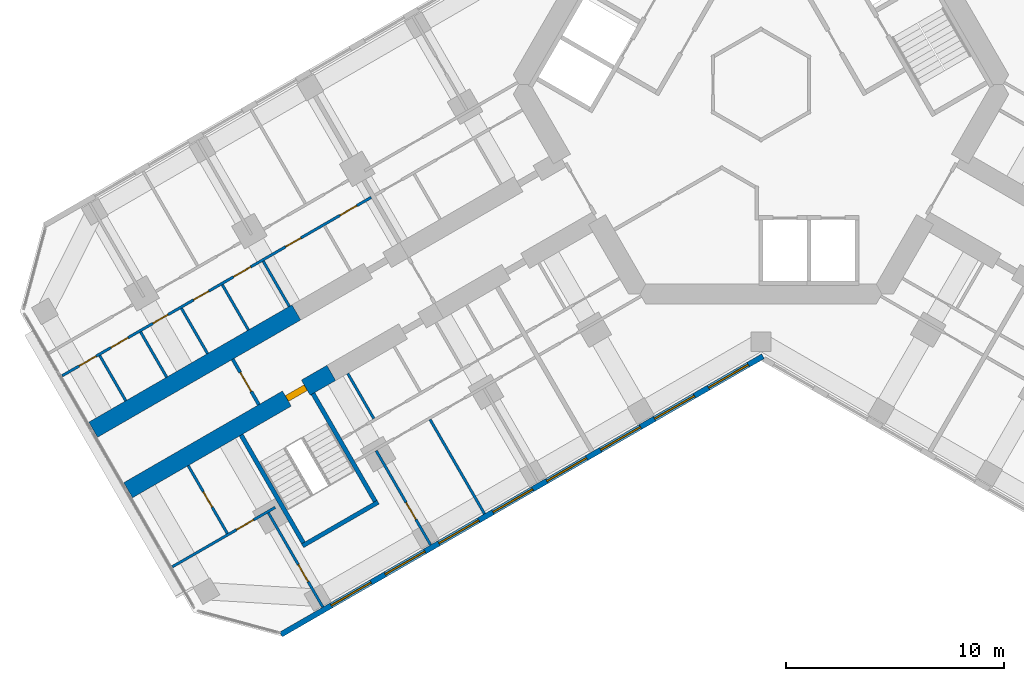
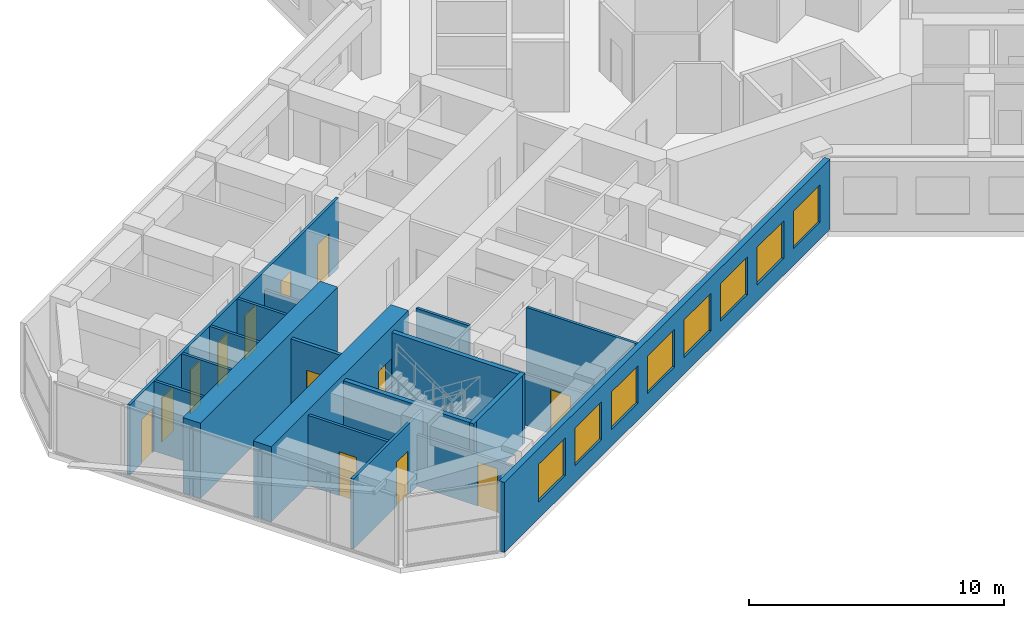
# One storey, part 10 of 19: 19 walls, 13 doors, 8 windows, 21 openings.
"""IFC4 building model written with IfcOpenShell, lengths in metres."""

from ifc_helpers import new_model, si_unit, direction, frame, frame_2d, origin, place, context, subcontext, project, spatial, rectangle, extrude, material, layer, layer_set, type_object, element, fill, save


model = new_model("IFC4")

# Units and contexts
model_context = context("Model", 3, precision=1e-05, world=origin(), true_north=direction((0.0, 1.0)))
body_context = subcontext(model_context, "Body", "Model", "MODEL_VIEW")
ifc_project = project(units=[si_unit("LENGTHUNIT", "METRE"), si_unit("AREAUNIT", "SQUARE_METRE"), si_unit("VOLUMEUNIT", "CUBIC_METRE"), si_unit("PLANEANGLEUNIT", "RADIAN"), si_unit("MASSUNIT", "GRAM", prefix="KILO")], contexts=[model_context])

# Site, building, storey
site_placement = place(None, origin())
site = spatial("IfcSite", under=ifc_project, at=site_placement, CompositionType="ELEMENT")
building_placement = place(site_placement, origin())
building = spatial("IfcBuilding", under=site, at=building_placement, Name="Kosmar Iwan School Tower", CompositionType="ELEMENT")
storey_placement = place(building_placement, frame((0.0, 0.0, 145.39990234375)))
storey = spatial("IfcBuildingStorey", under=building, at=storey_placement, Name="L36", CompositionType="ELEMENT", Elevation=145.39990234375)

# Wall, opening, door
ifc_material_1 = material(Name="Concrete C50/60", Category="concrete")
ifc_layer_1 = layer(ifc_material_1, 0.800048828125)
ifc_layer_set_1 = layer_set([ifc_layer_1], Name="Corridor buttress wall 800")
wall_type_1 = type_object("IfcWallType", Name="Corridor buttress wall 800", PredefinedType="SHEAR", material=ifc_layer_set_1)
wall_1_placement = place(storey_placement, frame((-19.681396484375, -13.210693359375, 0.0), z_axis=(0.0, 0.0, 1.0), x_axis=(-0.866028186671, -0.499995179869, 0.0)))
wall_1 = element("IfcWall", 1, at=wall_1_placement, inside=storey, type_object=wall_type_1, Name="Corridor wall BL bay 3", PredefinedType="SHEAR", context=body_context, shape_type="SweptSolid", body=[
    extrude(rectangle(XDim=10.7451171875, YDim=0.800048828125, at=frame_2d((5.37255859375, 0.0))), origin(), (0.0, 0.0, 1.0), 3.60009765625),
])
opening_1_placement = place(wall_1_placement, frame((1.35009765625, 0.0, 0.0)))
opening_1 = element("IfcOpeningElement", 2, at=opening_1_placement, cuts=wall_1, Name="Opening D6", PredefinedType="OPENING", context=body_context, shape_type="SweptSolid", body=[
    extrude(rectangle(XDim=1.0, YDim=2.10009765625, at=frame_2d((0.5, 1.050048828125))), frame((0.0, 0.412109375, 0.0), z_axis=(0.0, -1.0, 0.0), x_axis=(1.0, 0.0, 0.0)), (0.0, 0.0, 1.0), 0.823974609375),
])
ifc_material_2 = material(Name="Steel fire door", Category="steel")
door_type_1 = type_object("IfcDoorType", Name="Stair door 1000x2100", OperationType="SINGLE_SWING_LEFT", PredefinedType="DOOR", material=ifc_material_2)
door_1_placement = place(opening_1_placement, origin())
door_1 = element("IfcDoor", 3, at=door_1_placement, inside=storey, type_object=door_type_1, Name="Stair WS2 door L36", OperationType="SINGLE_SWING_LEFT", OverallHeight=2.10009765625, OverallWidth=1.0, PredefinedType="DOOR", context=body_context, shape_type="SweptSolid", body=[
    extrude(rectangle(XDim=1.0, YDim=2.10009765625, at=frame_2d((0.5, 1.050048828125))), frame((0.0, 0.14990234375, 0.0), z_axis=(0.0, -1.0, 0.0), x_axis=(1.0, 0.0, 0.0)), (0.0, 0.0, 1.0), 0.300048828125),
])
fill(opening_1, door_1)

# Wall
wall_2_placement = place(storey_placement, frame((-21.281494140625, -10.439453125, 0.0), z_axis=(0.0, 0.0, 1.0), x_axis=(-0.866032345022, -0.499987977232, 0.0)))
element("IfcWall", 4, at=wall_2_placement, inside=storey, type_object=wall_type_1, Name="Corridor wall BR bay 3", PredefinedType="SHEAR", context=body_context, shape_type="SweptSolid", body=[
    extrude(rectangle(XDim=10.744873046875, YDim=0.800048828125, at=frame_2d((5.37255859375, 0.0))), origin(), (0.0, 0.0, 1.0), 3.60009765625),
])

# Wall, opening, door
ifc_material_3 = material(Name="Gypsum board on steel studs, fire-rated", Category="steel")
ifc_layer_2 = layer(ifc_material_3, 0.14990234375)
ifc_layer_set_2 = layer_set([ifc_layer_2], Name="Corridor end wall 150")
wall_type_2 = type_object("IfcWallType", Name="Corridor end wall 150", PredefinedType="PARTITIONING", material=ifc_layer_set_2)
wall_3_placement = place(storey_placement, frame((-24.19921875, -12.585693359375, 0.0), z_axis=(0.0, 0.0, 1.0), x_axis=(0.499957262057, -0.866050077142, 0.0)))
wall_3 = element("IfcWall", 5, at=wall_3_placement, inside=storey, type_object=wall_type_2, Name="Partition L36-B-CE", PredefinedType="PARTITIONING", context=body_context, shape_type="SweptSolid", body=[
    extrude(rectangle(XDim=2.400146484375, YDim=0.14990234375, at=frame_2d((1.2001953125, 0.0))), origin(), (0.0, 0.0, 1.0), 3.35009765625),
])
opening_2_placement = place(wall_3_placement, frame((0.699951171875, 0.0, 0.0)))
opening_2 = element("IfcOpeningElement", 6, at=opening_2_placement, cuts=wall_3, Name="Opening D13", PredefinedType="OPENING", context=body_context, shape_type="SweptSolid", body=[
    extrude(rectangle(XDim=1.0, YDim=2.10009765625, at=frame_2d((0.5, 1.050048828125))), frame((0.0, 0.0869140625, 0.0), z_axis=(0.0, -1.0, 0.0), x_axis=(1.0, 0.0, 0.0)), (0.0, 0.0, 1.0), 0.173828125),
])
ifc_material_4 = material(Name="Timber fire door with vision panel", Category="wood")
door_type_2 = type_object("IfcDoorType", Name="Corridor end door 1000x2100", OperationType="SINGLE_SWING_LEFT", PredefinedType="DOOR", material=ifc_material_4)
door_2_placement = place(opening_2_placement, origin())
door_2 = element("IfcDoor", 7, at=door_2_placement, inside=storey, type_object=door_type_2, Name="Laundry and drying room door L36-B", OperationType="SINGLE_SWING_RIGHT", OverallHeight=2.10009765625, OverallWidth=1.0, PredefinedType="DOOR", context=body_context, shape_type="SweptSolid", body=[
    extrude(rectangle(XDim=1.0, YDim=2.10009765625, at=frame_2d((0.5, 1.050048828125))), frame((0.0, 0.02490234375, 0.0), z_axis=(0.0, -1.0, 0.0), x_axis=(1.0, 0.0, 0.0)), (0.0, 0.0, 1.0), 0.050048828125),
])
fill(opening_2, door_2)

# Walls
ifc_material_5 = material(Name="Gypsum board on steel studs", Category="steel")
ifc_layer_3 = layer(ifc_material_5, 0.1201171875)
ifc_layer_set_3 = layer_set([ifc_layer_3], Name="Dwelling partition 120")
wall_type_3 = type_object("IfcWallType", Name="Dwelling partition 120", PredefinedType="PARTITIONING", material=ifc_layer_set_3)
wall_4_placement = place(storey_placement, frame((-15.158447265625, -15.344970703125, 0.0), z_axis=(0.0, 0.0, 1.0), x_axis=(0.500011847778, -0.866018563358, 0.0)))
element("IfcWall", 8, at=wall_4_placement, inside=storey, type_object=wall_type_3, Name="Partition L36-BL2-X2", PredefinedType="PARTITIONING", context=body_context, shape_type="SweptSolid", body=[
    extrude(rectangle(XDim=4.990234375, YDim=0.1201171875, at=frame_2d((2.4951171875, 0.0))), origin(), (0.0, 0.0, 1.0), 3.35009765625),
])
wall_5_placement = place(storey_placement, frame((-18.92724609375, -13.237060546875, 0.0), z_axis=(0.0, 0.0, 1.0), x_axis=(0.500017192868, -0.86601547725, 0.0)))
element("IfcWall", 9, at=wall_5_placement, inside=storey, type_object=wall_type_3, Name="Partition L36-BL2-Y4", PredefinedType="PARTITIONING", context=body_context, shape_type="SweptSolid", body=[
    extrude(rectangle(XDim=2.39013671875, YDim=0.1201171875, at=frame_2d((1.195068359375, 0.0))), origin(), (0.0, 0.0, 1.0), 3.35009765625),
])

# Wall, opening, door
wall_6_placement = place(storey_placement, frame((-17.62646484375, -16.77001953125, 0.0), z_axis=(0.0, 0.0, 1.0), x_axis=(0.499975153383, -0.86603974851, 0.0)))
wall_6 = element("IfcWall", 10, at=wall_6_placement, inside=storey, type_object=wall_type_3, Name="Partition L36-BL2-TB", PredefinedType="PARTITIONING", context=body_context, shape_type="SweptSolid", body=[
    extrude(rectangle(XDim=4.989990234375, YDim=0.1201171875, at=frame_2d((2.4951171875, 0.0))), origin(), (0.0, 0.0, 1.0), 2.4501953125),
])
opening_3_placement = place(wall_6_placement, frame((2.739990234375, 0.0, 0.0)))
opening_3 = element("IfcOpeningElement", 11, at=opening_3_placement, cuts=wall_6, Name="Opening D2", PredefinedType="OPENING", context=body_context, shape_type="SweptSolid", body=[
    extrude(rectangle(XDim=0.89990234375, YDim=2.10009765625, at=frame_2d((0.449951171875, 1.050048828125))), frame((0.0, 0.072021484375, 0.0), z_axis=(0.0, -1.0, 0.0), x_axis=(1.0, 0.0, 0.0)), (0.0, 0.0, 1.0), 0.14404296875),
])
ifc_material_6 = material(Name="Timber door in timber frame", Category="wood")
door_type_3 = type_object("IfcDoorType", Name="Internal door 900x2100", OperationType="SINGLE_SWING_LEFT", PredefinedType="DOOR", material=ifc_material_6)
door_3_placement = place(opening_3_placement, origin())
door_3 = element("IfcDoor", 12, at=door_3_placement, inside=storey, type_object=door_type_3, Name="Study door L36-BL2-F3", OperationType="SINGLE_SWING_RIGHT", OverallHeight=2.10009765625, OverallWidth=0.89990234375, PredefinedType="DOOR", context=body_context, shape_type="SweptSolid", body=[
    extrude(rectangle(XDim=0.89990234375, YDim=2.10009765625, at=frame_2d((0.449951171875, 1.050048828125))), frame((0.0, 0.02490234375, 0.0), z_axis=(0.0, -1.0, 0.0), x_axis=(1.0, 0.0, 0.0)), (0.0, 0.0, 1.0), 0.050048828125),
])
fill(opening_3, door_3)

wall_7_placement = place(storey_placement, frame((-22.562744140625, -19.6201171875, 0.0), z_axis=(0.0, 0.0, 1.0), x_axis=(0.499996339024, -0.86602751744, 0.0)))
wall_7 = element("IfcWall", 13, at=wall_7_placement, inside=storey, type_object=wall_type_3, Name="Partition L36-BL2-TX", PredefinedType="PARTITIONING", context=body_context, shape_type="SweptSolid", body=[
    extrude(rectangle(XDim=4.98974609375, YDim=0.1201171875, at=frame_2d((2.494873046875, 0.0))), origin(), (0.0, 0.0, 1.0), 2.4501953125),
])
opening_4_placement = place(wall_7_placement, frame((2.739990234375, 0.0, 0.0)))
opening_4 = element("IfcOpeningElement", 14, at=opening_4_placement, cuts=wall_7, Name="Opening D2", PredefinedType="OPENING", context=body_context, shape_type="SweptSolid", body=[
    extrude(rectangle(XDim=0.89990234375, YDim=2.10009765625, at=frame_2d((0.449951171875, 1.050048828125))), frame((0.0, 0.072021484375, 0.0), z_axis=(0.0, -1.0, 0.0), x_axis=(1.0, 0.0, 0.0)), (0.0, 0.0, 1.0), 0.14404296875),
])
door_4_placement = place(opening_4_placement, origin())
door_4 = element("IfcDoor", 15, at=door_4_placement, inside=storey, type_object=door_type_3, Name="Study door L36-BL2-T1", OperationType="SINGLE_SWING_RIGHT", OverallHeight=2.10009765625, OverallWidth=0.89990234375, PredefinedType="DOOR", context=body_context, shape_type="SweptSolid", body=[
    extrude(rectangle(XDim=0.89990234375, YDim=2.10009765625, at=frame_2d((0.449951171875, 1.050048828125))), frame((0.0, 0.02490234375, 0.0), z_axis=(0.0, -1.0, 0.0), x_axis=(1.0, 0.0, 0.0)), (0.0, 0.0, 1.0), 0.050048828125),
])
fill(opening_4, door_4)

wall_8_placement = place(storey_placement, frame((-22.246337890625, -19.3681640625, 0.0), z_axis=(0.0, 0.0, 1.0), x_axis=(-0.866035508231, -0.499982498177, 0.0)))
wall_8 = element("IfcWall", 16, at=wall_8_placement, inside=storey, type_object=wall_type_3, Name="Partition L36-BL2-TW", PredefinedType="PARTITIONING", context=body_context, shape_type="SweptSolid", body=[
    extrude(rectangle(XDim=5.445068359375, YDim=0.1201171875, at=frame_2d((2.72265625, 0.0))), origin(), (0.0, 0.0, 1.0), 3.35009765625),
])
opening_5_placement = place(wall_8_placement, frame((1.14990234375, 0.0, 0.0)))
opening_5 = element("IfcOpeningElement", 17, at=opening_5_placement, cuts=wall_8, Name="Opening D2", PredefinedType="OPENING", context=body_context, shape_type="SweptSolid", body=[
    extrude(rectangle(XDim=0.89990234375, YDim=2.10009765625, at=frame_2d((0.449951171875, 1.050048828125))), frame((0.0, 0.072021484375, 0.0), z_axis=(0.0, -1.0, 0.0), x_axis=(1.0, 0.0, 0.0)), (0.0, 0.0, 1.0), 0.14404296875),
])
door_5_placement = place(opening_5_placement, origin())
door_5 = element("IfcDoor", 18, at=door_5_placement, inside=storey, type_object=door_type_3, Name="Dressing room door L36-BL2-T3", OperationType="SINGLE_SWING_LEFT", OverallHeight=2.10009765625, OverallWidth=0.89990234375, PredefinedType="DOOR", context=body_context, shape_type="SweptSolid", body=[
    extrude(rectangle(XDim=0.89990234375, YDim=2.10009765625, at=frame_2d((0.449951171875, 1.050048828125))), frame((0.0, 0.02490234375, 0.0), z_axis=(0.0, -1.0, 0.0), x_axis=(1.0, 0.0, 0.0)), (0.0, 0.0, 1.0), 0.050048828125),
])
fill(opening_5, door_5)

wall_9_placement = place(storey_placement, frame((-26.236572265625, -17.45703125, 0.0), z_axis=(0.0, 0.0, 1.0), x_axis=(0.50002266109, -0.866012320003, 0.0)))
wall_9 = element("IfcWall", 19, at=wall_9_placement, inside=storey, type_object=wall_type_3, Name="Partition L36-BL2-TY", PredefinedType="PARTITIONING", context=body_context, shape_type="SweptSolid", body=[
    extrude(rectangle(XDim=3.590087890625, YDim=0.1201171875, at=frame_2d((1.794921875, 0.0))), origin(), (0.0, 0.0, 1.0), 3.35009765625),
])
opening_6_placement = place(wall_9_placement, frame((1.39501953125, 0.0, 0.0)))
opening_6 = element("IfcOpeningElement", 20, at=opening_6_placement, cuts=wall_9, Name="Opening D3", PredefinedType="OPENING", context=body_context, shape_type="SweptSolid", body=[
    extrude(rectangle(XDim=0.800048828125, YDim=2.10009765625, at=frame_2d((0.39990234375, 1.050048828125))), frame((0.0, 0.072021484375, 0.0), z_axis=(0.0, -1.0, 0.0), x_axis=(1.0, 0.0, 0.0)), (0.0, 0.0, 1.0), 0.14404296875),
])
ifc_material_7 = material(Name="Timber door in timber frame", Category="wood")
door_type_4 = type_object("IfcDoorType", Name="Sanitary room door 800x2100", OperationType="SINGLE_SWING_LEFT", PredefinedType="DOOR", material=ifc_material_7)
door_6_placement = place(opening_6_placement, origin())
door_6 = element("IfcDoor", 21, at=door_6_placement, inside=storey, type_object=door_type_4, Name="Shower room door L36-BL2-T4", OperationType="SINGLE_SWING_LEFT", OverallHeight=2.10009765625, OverallWidth=0.800048828125, PredefinedType="DOOR", context=body_context, shape_type="SweptSolid", body=[
    extrude(rectangle(XDim=0.800048828125, YDim=2.10009765625, at=frame_2d((0.39990234375, 1.050048828125))), frame((0.0, 0.02490234375, 0.0), z_axis=(0.0, -1.0, 0.0), x_axis=(1.0, 0.0, 0.0)), (0.0, 0.0, 1.0), 0.050048828125),
])
fill(opening_6, door_6)

# Wall, openings, doors
wall_10_placement = place(storey_placement, frame((-17.856689453125, -5.171142578125, 0.0), z_axis=(0.0, 0.0, 1.0), x_axis=(-0.866023907196, -0.500002592159, 0.0)))
wall_10 = element("IfcWall", 22, at=wall_10_placement, inside=storey, type_object=wall_type_3, Name="Partition L36-BR2-W1", PredefinedType="PARTITIONING", context=body_context, shape_type="SweptSolid", body=[
    extrude(rectangle(XDim=16.34521484375, YDim=0.1201171875, at=frame_2d((8.172607421875, 0.0))), origin(), (0.0, 0.0, 1.0), 3.35009765625),
])
opening_7_placement = place(wall_10_placement, frame((0.75, 0.0, 0.0)))
opening_7 = element("IfcOpeningElement", 23, at=opening_7_placement, cuts=wall_10, Name="Opening D2", PredefinedType="OPENING", context=body_context, shape_type="SweptSolid", body=[
    extrude(rectangle(XDim=0.89990234375, YDim=2.10009765625, at=frame_2d((0.449951171875, 1.050048828125))), frame((0.0, 0.072021484375, 0.0), z_axis=(0.0, -1.0, 0.0), x_axis=(1.0, 0.0, 0.0)), (0.0, 0.0, 1.0), 0.14404296875),
])
opening_8_placement = place(wall_10_placement, frame((3.72119140625, 0.0, 0.0)))
opening_8 = element("IfcOpeningElement", 24, at=opening_8_placement, cuts=wall_10, Name="Opening D3", PredefinedType="OPENING", context=body_context, shape_type="SweptSolid", body=[
    extrude(rectangle(XDim=0.800048828125, YDim=2.10009765625, at=frame_2d((0.39990234375, 1.050048828125))), frame((0.0, 0.072021484375, 0.0), z_axis=(0.0, -1.0, 0.0), x_axis=(1.0, 0.0, 0.0)), (0.0, 0.0, 1.0), 0.14404296875),
])
opening_9_placement = place(wall_10_placement, frame((6.373046875, 0.0, 0.0)))
opening_9 = element("IfcOpeningElement", 25, at=opening_9_placement, cuts=wall_10, Name="Opening D2", PredefinedType="OPENING", context=body_context, shape_type="SweptSolid", body=[
    extrude(rectangle(XDim=0.89990234375, YDim=2.10009765625, at=frame_2d((0.449951171875, 1.050048828125))), frame((0.0, 0.072021484375, 0.0), z_axis=(0.0, -1.0, 0.0), x_axis=(1.0, 0.0, 0.0)), (0.0, 0.0, 1.0), 0.14404296875),
])
opening_10_placement = place(wall_10_placement, frame((8.584716796875, 0.0, 0.0)))
opening_10 = element("IfcOpeningElement", 26, at=opening_10_placement, cuts=wall_10, Name="Opening D3", PredefinedType="OPENING", context=body_context, shape_type="SweptSolid", body=[
    extrude(rectangle(XDim=0.800048828125, YDim=2.10009765625, at=frame_2d((0.39990234375, 1.050048828125))), frame((0.0, 0.072021484375, 0.0), z_axis=(0.0, -1.0, 0.0), x_axis=(1.0, 0.0, 0.0)), (0.0, 0.0, 1.0), 0.14404296875),
])
opening_11_placement = place(wall_10_placement, frame((10.74609375, 0.0, 0.0)))
opening_11 = element("IfcOpeningElement", 27, at=opening_11_placement, cuts=wall_10, Name="Opening D3", PredefinedType="OPENING", context=body_context, shape_type="SweptSolid", body=[
    extrude(rectangle(XDim=0.800048828125, YDim=2.10009765625, at=frame_2d((0.39990234375, 1.050048828125))), frame((0.0, 0.072021484375, 0.0), z_axis=(0.0, -1.0, 0.0), x_axis=(1.0, 0.0, 0.0)), (0.0, 0.0, 1.0), 0.14404296875),
])
opening_12_placement = place(wall_10_placement, frame((12.857666015625, 0.0, 0.0)))
opening_12 = element("IfcOpeningElement", 28, at=opening_12_placement, cuts=wall_10, Name="Opening D2", PredefinedType="OPENING", context=body_context, shape_type="SweptSolid", body=[
    extrude(rectangle(XDim=0.89990234375, YDim=2.10009765625, at=frame_2d((0.449951171875, 1.050048828125))), frame((0.0, 0.072021484375, 0.0), z_axis=(0.0, -1.0, 0.0), x_axis=(1.0, 0.0, 0.0)), (0.0, 0.0, 1.0), 0.14404296875),
])
opening_13_placement = place(wall_10_placement, frame((14.548583984375, 0.0, 0.0)))
opening_13 = element("IfcOpeningElement", 29, at=opening_13_placement, cuts=wall_10, Name="Opening D2", PredefinedType="OPENING", context=body_context, shape_type="SweptSolid", body=[
    extrude(rectangle(XDim=0.89990234375, YDim=2.10009765625, at=frame_2d((0.449951171875, 1.050048828125))), frame((0.0, 0.072021484375, 0.0), z_axis=(0.0, -1.0, 0.0), x_axis=(1.0, 0.0, 0.0)), (0.0, 0.0, 1.0), 0.14404296875),
])
door_7_placement = place(opening_7_placement, origin())
door_7 = element("IfcDoor", 30, at=door_7_placement, inside=storey, type_object=door_type_3, Name="Entrance hall door L36-BR2-S1", OperationType="SINGLE_SWING_RIGHT", OverallHeight=2.10009765625, OverallWidth=0.89990234375, PredefinedType="DOOR", context=body_context, shape_type="SweptSolid", body=[
    extrude(rectangle(XDim=0.89990234375, YDim=2.10009765625, at=frame_2d((0.449951171875, 1.050048828125))), frame((0.0, 0.02490234375, 0.0), z_axis=(0.0, -1.0, 0.0), x_axis=(1.0, 0.0, 0.0)), (0.0, 0.0, 1.0), 0.050048828125),
])
fill(opening_7, door_7)
door_8_placement = place(opening_9_placement, origin())
door_8 = element("IfcDoor", 31, at=door_8_placement, inside=storey, type_object=door_type_3, Name="Pantry door L36-BR2-S3", OperationType="SINGLE_SWING_RIGHT", OverallHeight=2.10009765625, OverallWidth=0.89990234375, PredefinedType="DOOR", context=body_context, shape_type="SweptSolid", body=[
    extrude(rectangle(XDim=0.89990234375, YDim=2.10009765625, at=frame_2d((0.449951171875, 1.050048828125))), frame((0.0, 0.02490234375, 0.0), z_axis=(0.0, -1.0, 0.0), x_axis=(1.0, 0.0, 0.0)), (0.0, 0.0, 1.0), 0.050048828125),
])
fill(opening_9, door_8)
door_9_placement = place(opening_12_placement, origin())
door_9 = element("IfcDoor", 32, at=door_9_placement, inside=storey, type_object=door_type_3, Name="Utility room door L36-BR2-S6", OperationType="SINGLE_SWING_LEFT", OverallHeight=2.10009765625, OverallWidth=0.89990234375, PredefinedType="DOOR", context=body_context, shape_type="SweptSolid", body=[
    extrude(rectangle(XDim=0.89990234375, YDim=2.10009765625, at=frame_2d((0.449951171875, 1.050048828125))), frame((0.0, 0.02490234375, 0.0), z_axis=(0.0, -1.0, 0.0), x_axis=(1.0, 0.0, 0.0)), (0.0, 0.0, 1.0), 0.050048828125),
])
fill(opening_12, door_9)
door_10_placement = place(opening_13_placement, origin())
door_10 = element("IfcDoor", 33, at=door_10_placement, inside=storey, type_object=door_type_3, Name="Dressing room door L36-BR2-S7", OperationType="SINGLE_SWING_LEFT", OverallHeight=2.10009765625, OverallWidth=0.89990234375, PredefinedType="DOOR", context=body_context, shape_type="SweptSolid", body=[
    extrude(rectangle(XDim=0.89990234375, YDim=2.10009765625, at=frame_2d((0.449951171875, 1.050048828125))), frame((0.0, 0.02490234375, 0.0), z_axis=(0.0, -1.0, 0.0), x_axis=(1.0, 0.0, 0.0)), (0.0, 0.0, 1.0), 0.050048828125),
])
fill(opening_13, door_10)
door_11_placement = place(opening_8_placement, origin())
door_11 = element("IfcDoor", 34, at=door_11_placement, inside=storey, type_object=door_type_4, Name="Bathroom door L36-BR2-S2", OperationType="SINGLE_SWING_LEFT", OverallHeight=2.10009765625, OverallWidth=0.800048828125, PredefinedType="DOOR", context=body_context, shape_type="SweptSolid", body=[
    extrude(rectangle(XDim=0.800048828125, YDim=2.10009765625, at=frame_2d((0.39990234375, 1.050048828125))), frame((0.0, 0.02490234375, 0.0), z_axis=(0.0, -1.0, 0.0), x_axis=(1.0, 0.0, 0.0)), (0.0, 0.0, 1.0), 0.050048828125),
])
fill(opening_8, door_11)
door_12_placement = place(opening_10_placement, origin())
door_12 = element("IfcDoor", 35, at=door_12_placement, inside=storey, type_object=door_type_4, Name="WC door L36-BR2-S4", OperationType="SINGLE_SWING_LEFT", OverallHeight=2.10009765625, OverallWidth=0.800048828125, PredefinedType="DOOR", context=body_context, shape_type="SweptSolid", body=[
    extrude(rectangle(XDim=0.800048828125, YDim=2.10009765625, at=frame_2d((0.39990234375, 1.050048828125))), frame((0.0, 0.02490234375, 0.0), z_axis=(0.0, -1.0, 0.0), x_axis=(1.0, 0.0, 0.0)), (0.0, 0.0, 1.0), 0.050048828125),
])
fill(opening_10, door_12)
door_13_placement = place(opening_11_placement, origin())
door_13 = element("IfcDoor", 36, at=door_13_placement, inside=storey, type_object=door_type_4, Name="Store door L36-BR2-S5", OperationType="SINGLE_SWING_RIGHT", OverallHeight=2.10009765625, OverallWidth=0.800048828125, PredefinedType="DOOR", context=body_context, shape_type="SweptSolid", body=[
    extrude(rectangle(XDim=0.800048828125, YDim=2.10009765625, at=frame_2d((0.39990234375, 1.050048828125))), frame((0.0, 0.02490234375, 0.0), z_axis=(0.0, -1.0, 0.0), x_axis=(1.0, 0.0, 0.0)), (0.0, 0.0, 1.0), 0.050048828125),
])
fill(opening_11, door_13)

# Walls
wall_11_placement = place(storey_placement, frame((-21.604736328125, -10.1640625, 0.0), z_axis=(0.0, 0.0, 1.0), x_axis=(-0.500017192868, 0.86601547725, 0.0)))
element("IfcWall", 37, at=wall_11_placement, inside=storey, type_object=wall_type_3, Name="Partition L36-BR2-Y2", PredefinedType="PARTITIONING", context=body_context, shape_type="SweptSolid", body=[
    extrude(rectangle(XDim=2.39013671875, YDim=0.1201171875, at=frame_2d((1.195068359375, 0.0))), origin(), (0.0, 0.0, 1.0), 2.4501953125),
])
wall_12_placement = place(storey_placement, frame((-23.476806640625, -11.244873046875, 0.0), z_axis=(0.0, 0.0, 1.0), x_axis=(-0.499940577336, 0.866059708757, 0.0)))
element("IfcWall", 38, at=wall_12_placement, inside=storey, type_object=wall_type_3, Name="Partition L36-BR2-Y3", PredefinedType="PARTITIONING", context=body_context, shape_type="SweptSolid", body=[
    extrude(rectangle(XDim=2.389892578125, YDim=0.1201171875, at=frame_2d((1.19482421875, 0.0))), origin(), (0.0, 0.0, 1.0), 3.35009765625),
])
for number, where, z_axis, x_axis, name in (
    (39, (-25.3486328125, -12.32568359375, 0.0), (0.0, 0.0, 1.0), (-0.500017192868, 0.86601547725, 0.0), "Partition L36-BR2-Y4"),
    (40, (-27.220458984375, -13.406494140625, 0.0), (0.0, 0.0, 1.0), (-0.500017192868, 0.86601547725, 0.0), "Partition L36-BR2-Y5"),
    (41, (-29.092529296875, -14.4873046875, 0.0), (0.0, 0.0, 1.0), (-0.500017192868, 0.86601547725, 0.0), "Partition L36-BR2-Y6"),
):
    element("IfcWall", number, at=place(storey_placement, frame(where, z_axis=z_axis, x_axis=x_axis)), inside=storey, type_object=wall_type_3, Name=name, PredefinedType="PARTITIONING", context=body_context, shape_type="SweptSolid", body=[
        extrude(rectangle(XDim=2.39013671875, YDim=0.1201171875, at=frame_2d((1.195068359375, 0.0))), origin(), (0.0, 0.0, 1.0), 3.35009765625),
    ])
ifc_material_8 = material(Name="Concrete C35/45", Category="concrete")
ifc_layer_4 = layer(ifc_material_8, 0.199951171875)
ifc_layer_set_4 = layer_set([ifc_layer_4], Name="Escape stair wall 200")
wall_type_4 = type_object("IfcWallType", Name="Escape stair wall 200", PredefinedType="SHEAR", material=ifc_layer_set_4)
wall_13_placement = place(storey_placement, frame((-20.520751953125, -14.156982421875, 0.0), z_axis=(0.0, 0.0, 1.0), x_axis=(0.499988710057, -0.866031921938, 0.0)))
element("IfcWall", 42, at=wall_13_placement, inside=storey, type_object=wall_type_4, Name="Stair WS2 wall", PredefinedType="SHEAR", context=body_context, shape_type="SweptSolid", body=[
    extrude(rectangle(XDim=5.900146484375, YDim=0.199951171875, at=frame_2d((2.9501953125, 0.0))), origin(), (0.0, 0.0, 1.0), 3.330078125),
])
wall_14_placement = place(storey_placement, frame((-23.8115234375, -16.05712890625, 0.0), z_axis=(0.0, 0.0, 1.0), x_axis=(0.500006628179, -0.86602157697, 0.0)))
element("IfcWall", 43, at=wall_14_placement, inside=storey, type_object=wall_type_4, Name="Stair WS2 wall", PredefinedType="SHEAR", context=body_context, shape_type="SweptSolid", body=[
    extrude(rectangle(XDim=5.89990234375, YDim=0.199951171875, at=frame_2d((2.949951171875, 0.0))), origin(), (0.0, 0.0, 1.0), 3.330078125),
])
wall_15_placement = place(storey_placement, frame((-17.5341796875, -19.1298828125, 0.0), z_axis=(0.0, 0.0, 1.0), x_axis=(-0.866026010844, -0.49999894854, 0.0)))
element("IfcWall", 44, at=wall_15_placement, inside=storey, type_object=wall_type_4, Name="Stair WS2 wall", PredefinedType="SHEAR", context=body_context, shape_type="SweptSolid", body=[
    extrude(rectangle(XDim=4.0, YDim=0.199951171875, at=frame_2d((2.0, 0.0))), origin(), (0.0, 0.0, 1.0), 3.330078125),
])

# Wall, openings, windows
ifc_material_9 = material(Name="Black aluminium rainscreen on insulated framing", Category="aluminium")
ifc_layer_5 = layer(ifc_material_9, 0.25)
ifc_layer_set_5 = layer_set([ifc_layer_5], Name="External wall rainscreen 250")
wall_type_5 = type_object("IfcWallType", Name="External wall rainscreen 250", PredefinedType="SOLIDWALL", material=ifc_layer_set_5)
wall_16_placement = place(storey_placement, frame((0.088134765625, -12.44873046875, 0.0), z_axis=(0.0, 0.0, 1.0), x_axis=(-0.866026390279, -0.499998291337, 0.0)))
wall_16 = element("IfcWall", 45, at=wall_16_placement, inside=storey, type_object=wall_type_5, Name="External wall BL L36", PredefinedType="SOLIDWALL", context=body_context, shape_type="SweptSolid", body=[
    extrude(rectangle(XDim=25.4873046875, YDim=0.25, at=frame_2d((12.74365234375, 0.0))), origin(), (0.0, 0.0, 1.0), 3.35009765625),
])
opening_14_placement = place(wall_16_placement, frame((0.777099609375, 0.0, 0.800048828125)))
opening_14 = element("IfcOpeningElement", 46, at=opening_14_placement, cuts=wall_16, Name="Opening W4", PredefinedType="OPENING", context=body_context, shape_type="SweptSolid", body=[
    extrude(rectangle(XDim=2.10009765625, YDim=1.800048828125, at=frame_2d((1.050048828125, 0.89990234375))), frame((0.0, 0.136962890625, 0.0), z_axis=(0.0, -1.0, 0.0), x_axis=(1.0, 0.0, 0.0)), (0.0, 0.0, 1.0), 0.27392578125),
])
opening_15_placement = place(wall_16_placement, frame((3.626953125, 0.0, 0.800048828125)))
opening_15 = element("IfcOpeningElement", 47, at=opening_15_placement, cuts=wall_16, Name="Opening W4", PredefinedType="OPENING", context=body_context, shape_type="SweptSolid", body=[
    extrude(rectangle(XDim=2.10009765625, YDim=1.800048828125, at=frame_2d((1.050048828125, 0.89990234375))), frame((0.0, 0.136962890625, 0.0), z_axis=(0.0, -1.0, 0.0), x_axis=(1.0, 0.0, 0.0)), (0.0, 0.0, 1.0), 0.27392578125),
])
opening_16_placement = place(wall_16_placement, frame((6.47705078125, 0.0, 0.800048828125)))
opening_16 = element("IfcOpeningElement", 48, at=opening_16_placement, cuts=wall_16, Name="Opening W4", PredefinedType="OPENING", context=body_context, shape_type="SweptSolid", body=[
    extrude(rectangle(XDim=2.10009765625, YDim=1.800048828125, at=frame_2d((1.050048828125, 0.89990234375))), frame((0.0, 0.136962890625, 0.0), z_axis=(0.0, -1.0, 0.0), x_axis=(1.0, 0.0, 0.0)), (0.0, 0.0, 1.0), 0.27392578125),
])
opening_17_placement = place(wall_16_placement, frame((9.326904296875, 0.0, 0.800048828125)))
opening_17 = element("IfcOpeningElement", 49, at=opening_17_placement, cuts=wall_16, Name="Opening W4", PredefinedType="OPENING", context=body_context, shape_type="SweptSolid", body=[
    extrude(rectangle(XDim=2.10009765625, YDim=1.800048828125, at=frame_2d((1.050048828125, 0.89990234375))), frame((0.0, 0.136962890625, 0.0), z_axis=(0.0, -1.0, 0.0), x_axis=(1.0, 0.0, 0.0)), (0.0, 0.0, 1.0), 0.27392578125),
])
opening_18_placement = place(wall_16_placement, frame((12.177001953125, 0.0, 0.800048828125)))
opening_18 = element("IfcOpeningElement", 50, at=opening_18_placement, cuts=wall_16, Name="Opening W4", PredefinedType="OPENING", context=body_context, shape_type="SweptSolid", body=[
    extrude(rectangle(XDim=2.10009765625, YDim=1.800048828125, at=frame_2d((1.050048828125, 0.89990234375))), frame((0.0, 0.136962890625, 0.0), z_axis=(0.0, -1.0, 0.0), x_axis=(1.0, 0.0, 0.0)), (0.0, 0.0, 1.0), 0.27392578125),
])
opening_19_placement = place(wall_16_placement, frame((15.027099609375, 0.0, 0.800048828125)))
opening_19 = element("IfcOpeningElement", 51, at=opening_19_placement, cuts=wall_16, Name="Opening W4", PredefinedType="OPENING", context=body_context, shape_type="SweptSolid", body=[
    extrude(rectangle(XDim=2.10009765625, YDim=1.800048828125, at=frame_2d((1.050048828125, 0.89990234375))), frame((0.0, 0.136962890625, 0.0), z_axis=(0.0, -1.0, 0.0), x_axis=(1.0, 0.0, 0.0)), (0.0, 0.0, 1.0), 0.27392578125),
])
opening_20_placement = place(wall_16_placement, frame((17.876953125, 0.0, 0.800048828125)))
opening_20 = element("IfcOpeningElement", 52, at=opening_20_placement, cuts=wall_16, Name="Opening W4", PredefinedType="OPENING", context=body_context, shape_type="SweptSolid", body=[
    extrude(rectangle(XDim=2.10009765625, YDim=1.800048828125, at=frame_2d((1.050048828125, 0.89990234375))), frame((0.0, 0.136962890625, 0.0), z_axis=(0.0, -1.0, 0.0), x_axis=(1.0, 0.0, 0.0)), (0.0, 0.0, 1.0), 0.27392578125),
])
opening_21_placement = place(wall_16_placement, frame((20.72705078125, 0.0, 0.800048828125)))
opening_21 = element("IfcOpeningElement", 53, at=opening_21_placement, cuts=wall_16, Name="Opening W4", PredefinedType="OPENING", context=body_context, shape_type="SweptSolid", body=[
    extrude(rectangle(XDim=2.10009765625, YDim=1.800048828125, at=frame_2d((1.050048828125, 0.89990234375))), frame((0.0, 0.136962890625, 0.0), z_axis=(0.0, -1.0, 0.0), x_axis=(1.0, 0.0, 0.0)), (0.0, 0.0, 1.0), 0.27392578125),
])
ifc_material_10 = material(Name="Black aluminium frame with dark triple glazing", Category="aluminium")
window_type = type_object("IfcWindowType", Name="Window 2100x1800", PartitioningType="SINGLE_PANEL", PredefinedType="WINDOW", material=ifc_material_10)
window_1_placement = place(opening_14_placement, origin())
window_1 = element("IfcWindow", 54, at=window_1_placement, inside=storey, type_object=window_type, Name="Window BL L36 -1", OverallHeight=1.800048828125, OverallWidth=2.10009765625, PartitioningType="SINGLE_PANEL", PredefinedType="WINDOW", context=body_context, shape_type="SweptSolid", body=[
    extrude(rectangle(XDim=2.10009765625, YDim=1.800048828125, at=frame_2d((1.050048828125, 0.89990234375))), frame((0.0, 0.030029296875, 0.0), z_axis=(0.0, -1.0, 0.0), x_axis=(1.0, 0.0, 0.0)), (0.0, 0.0, 1.0), 0.06005859375),
])
fill(opening_14, window_1)
window_2_placement = place(opening_15_placement, origin())
window_2 = element("IfcWindow", 55, at=window_2_placement, inside=storey, type_object=window_type, Name="Window BL L36 0", OverallHeight=1.800048828125, OverallWidth=2.10009765625, PartitioningType="SINGLE_PANEL", PredefinedType="WINDOW", context=body_context, shape_type="SweptSolid", body=[
    extrude(rectangle(XDim=2.10009765625, YDim=1.800048828125, at=frame_2d((1.050048828125, 0.89990234375))), frame((0.0, 0.030029296875, 0.0), z_axis=(0.0, -1.0, 0.0), x_axis=(1.0, 0.0, 0.0)), (0.0, 0.0, 1.0), 0.06005859375),
])
fill(opening_15, window_2)
window_3_placement = place(opening_16_placement, origin())
window_3 = element("IfcWindow", 56, at=window_3_placement, inside=storey, type_object=window_type, Name="Window BL L36 1", OverallHeight=1.800048828125, OverallWidth=2.10009765625, PartitioningType="SINGLE_PANEL", PredefinedType="WINDOW", context=body_context, shape_type="SweptSolid", body=[
    extrude(rectangle(XDim=2.10009765625, YDim=1.800048828125, at=frame_2d((1.050048828125, 0.89990234375))), frame((0.0, 0.030029296875, 0.0), z_axis=(0.0, -1.0, 0.0), x_axis=(1.0, 0.0, 0.0)), (0.0, 0.0, 1.0), 0.06005859375),
])
fill(opening_16, window_3)
window_4_placement = place(opening_17_placement, origin())
window_4 = element("IfcWindow", 57, at=window_4_placement, inside=storey, type_object=window_type, Name="Window BL L36 2", OverallHeight=1.800048828125, OverallWidth=2.10009765625, PartitioningType="SINGLE_PANEL", PredefinedType="WINDOW", context=body_context, shape_type="SweptSolid", body=[
    extrude(rectangle(XDim=2.10009765625, YDim=1.800048828125, at=frame_2d((1.050048828125, 0.89990234375))), frame((0.0, 0.030029296875, 0.0), z_axis=(0.0, -1.0, 0.0), x_axis=(1.0, 0.0, 0.0)), (0.0, 0.0, 1.0), 0.06005859375),
])
fill(opening_17, window_4)
window_5_placement = place(opening_18_placement, origin())
window_5 = element("IfcWindow", 58, at=window_5_placement, inside=storey, type_object=window_type, Name="Window BL L36 3", OverallHeight=1.800048828125, OverallWidth=2.10009765625, PartitioningType="SINGLE_PANEL", PredefinedType="WINDOW", context=body_context, shape_type="SweptSolid", body=[
    extrude(rectangle(XDim=2.10009765625, YDim=1.800048828125, at=frame_2d((1.050048828125, 0.89990234375))), frame((0.0, 0.030029296875, 0.0), z_axis=(0.0, -1.0, 0.0), x_axis=(1.0, 0.0, 0.0)), (0.0, 0.0, 1.0), 0.06005859375),
])
fill(opening_18, window_5)
window_6_placement = place(opening_19_placement, origin())
window_6 = element("IfcWindow", 59, at=window_6_placement, inside=storey, type_object=window_type, Name="Window BL L36 4", OverallHeight=1.800048828125, OverallWidth=2.10009765625, PartitioningType="SINGLE_PANEL", PredefinedType="WINDOW", context=body_context, shape_type="SweptSolid", body=[
    extrude(rectangle(XDim=2.10009765625, YDim=1.800048828125, at=frame_2d((1.050048828125, 0.89990234375))), frame((0.0, 0.030029296875, 0.0), z_axis=(0.0, -1.0, 0.0), x_axis=(1.0, 0.0, 0.0)), (0.0, 0.0, 1.0), 0.06005859375),
])
fill(opening_19, window_6)
window_7_placement = place(opening_20_placement, origin())
window_7 = element("IfcWindow", 60, at=window_7_placement, inside=storey, type_object=window_type, Name="Window BL L36 5", OverallHeight=1.800048828125, OverallWidth=2.10009765625, PartitioningType="SINGLE_PANEL", PredefinedType="WINDOW", context=body_context, shape_type="SweptSolid", body=[
    extrude(rectangle(XDim=2.10009765625, YDim=1.800048828125, at=frame_2d((1.050048828125, 0.89990234375))), frame((0.0, 0.030029296875, 0.0), z_axis=(0.0, -1.0, 0.0), x_axis=(1.0, 0.0, 0.0)), (0.0, 0.0, 1.0), 0.06005859375),
])
fill(opening_20, window_7)
window_8_placement = place(opening_21_placement, origin())
window_8 = element("IfcWindow", 61, at=window_8_placement, inside=storey, type_object=window_type, Name="Window BL L36 6", OverallHeight=1.800048828125, OverallWidth=2.10009765625, PartitioningType="SINGLE_PANEL", PredefinedType="WINDOW", context=body_context, shape_type="SweptSolid", body=[
    extrude(rectangle(XDim=2.10009765625, YDim=1.800048828125, at=frame_2d((1.050048828125, 0.89990234375))), frame((0.0, 0.030029296875, 0.0), z_axis=(0.0, -1.0, 0.0), x_axis=(1.0, 0.0, 0.0)), (0.0, 0.0, 1.0), 0.06005859375),
])
fill(opening_21, window_8)

save(model, "model.ifc")
